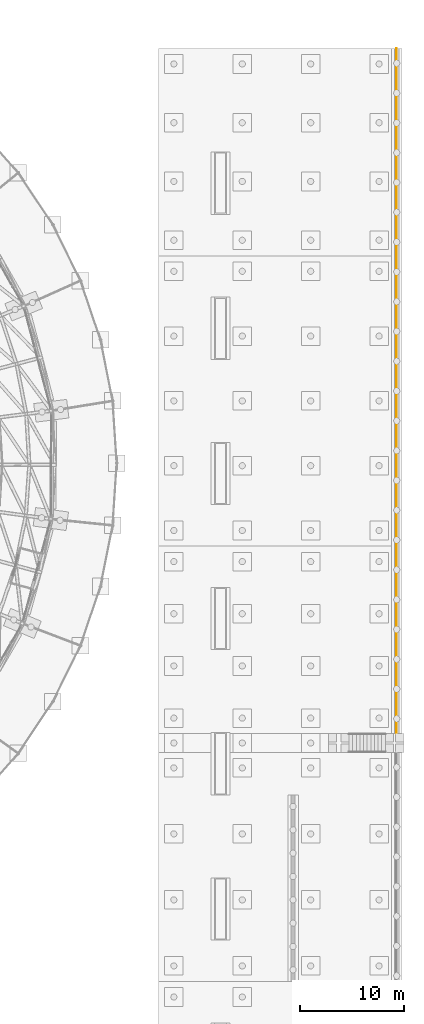
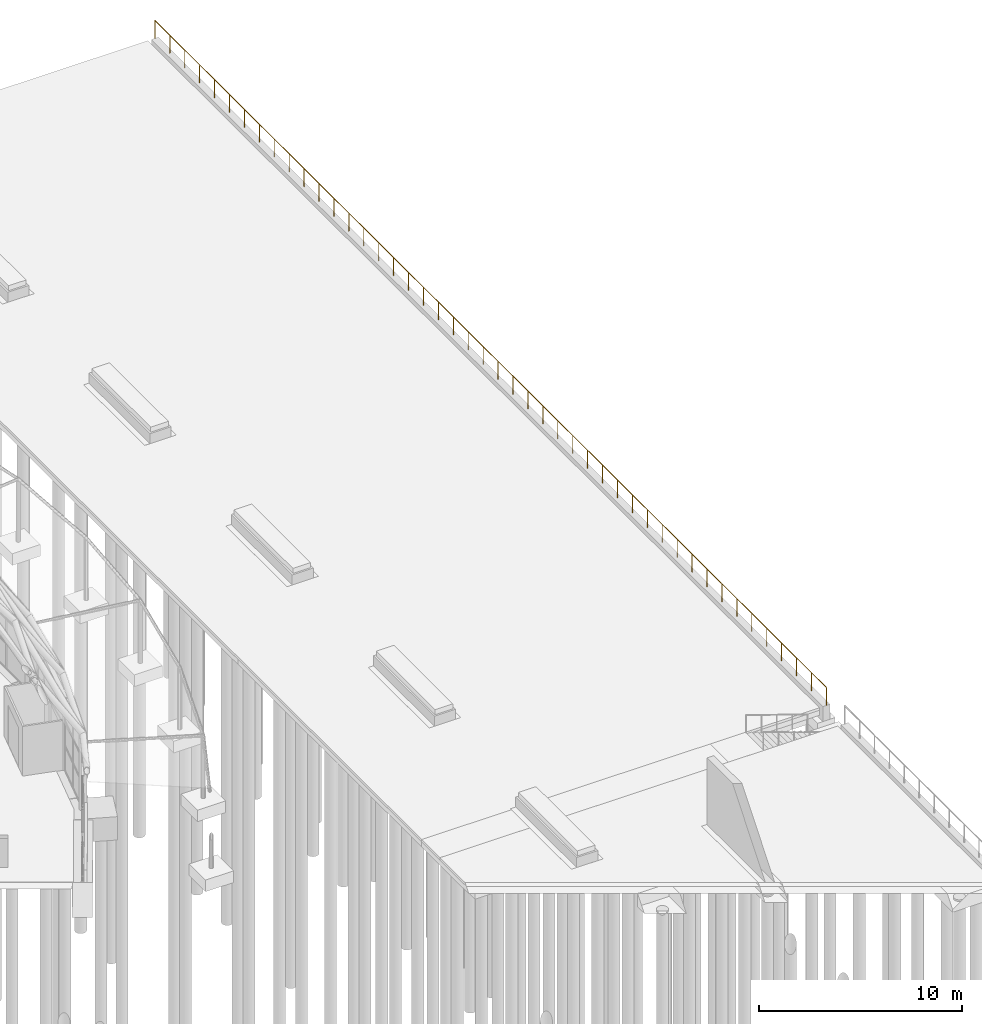
# One storey, part 224 of 226: 1 railing.
"""IFC4 building model written with IfcOpenShell, lengths in metres."""

from ifc_helpers import new_model, si_unit, direction, frame, origin, origin_2d, place, context, subcontext, project, spatial, circle, extrude, material, type_object, element, save


model = new_model("IFC4")

# Units and contexts
model_context = context("Model", 3, precision=1e-05, world=origin(), true_north=direction((0.0, 1.0)))
body_context = subcontext(model_context, "Body", "Model", "MODEL_VIEW")
ifc_project = project(units=[si_unit("LENGTHUNIT", "METRE"), si_unit("AREAUNIT", "SQUARE_METRE"), si_unit("VOLUMEUNIT", "CUBIC_METRE"), si_unit("PLANEANGLEUNIT", "RADIAN"), si_unit("MASSUNIT", "GRAM", prefix="KILO")], contexts=[model_context])

# Site, building, storey
site_placement = place(None, origin())
site = spatial("IfcSite", under=ifc_project, at=site_placement, CompositionType="ELEMENT")
building_placement = place(site_placement, origin())
building = spatial("IfcBuilding", under=site, at=building_placement, Name="Ceibo Conservatory and Research Tower", CompositionType="ELEMENT")
storey_placement = place(building_placement, origin())
storey = spatial("IfcBuildingStorey", under=building, at=storey_placement, Name="L00", CompositionType="ELEMENT", Elevation=0.0)

# Railing
ifc_material = material(Name="Stainless steel AISI 316", Category="steel")
railing_type = type_object("IfcRailingType", Name="Quay guard 1100", PredefinedType="GUARDRAIL", material=ifc_material)
railing_placement = place(storey_placement, frame((229.0, 81.89990234375, 0.0)))
element("IfcRailing", 1, at=railing_placement, inside=storey, type_object=railing_type, Name="Quay guard", PredefinedType="GUARDRAIL", context=body_context, shape_type="SweptSolid", body=[
    extrude(circle(Radius=0.02392578125, at=origin_2d()), frame((0.0, 0.0, 1.076171875), z_axis=(0.0, 1.0, 0.0), x_axis=(-1.0, 0.0, 0.0)), (0.0, 0.0, 1.0), 66.10009765625),
    extrude(circle(Radius=0.02099609375, at=origin_2d()), origin(), (0.0, 0.0, 1.0), 1.052001953125),
    extrude(circle(Radius=0.02099609375, at=origin_2d()), frame((0.0, 1.468994140625, 0.0)), (0.0, 0.0, 1.0), 1.052001953125),
    extrude(circle(Radius=0.02099609375, at=origin_2d()), frame((0.0, 2.937744140625, 0.0)), (0.0, 0.0, 1.0), 1.052001953125),
    extrude(circle(Radius=0.02099609375, at=origin_2d()), frame((0.0, 4.40673828125, 0.0)), (0.0, 0.0, 1.0), 1.052001953125),
    extrude(circle(Radius=0.02099609375, at=origin_2d()), frame((0.0, 5.87548828125, 0.0)), (0.0, 0.0, 1.0), 1.052001953125),
    extrude(circle(Radius=0.02099609375, at=origin_2d()), frame((0.0, 7.344482421875, 0.0)), (0.0, 0.0, 1.0), 1.052001953125),
    extrude(circle(Radius=0.02099609375, at=origin_2d()), frame((0.0, 8.813232421875, 0.0)), (0.0, 0.0, 1.0), 1.052001953125),
    extrude(circle(Radius=0.02099609375, at=origin_2d()), frame((0.0, 10.2822265625, 0.0)), (0.0, 0.0, 1.0), 1.052001953125),
    extrude(circle(Radius=0.02099609375, at=origin_2d()), frame((0.0, 11.751220703125, 0.0)), (0.0, 0.0, 1.0), 1.052001953125),
    extrude(circle(Radius=0.02099609375, at=origin_2d()), frame((0.0, 13.219970703125, 0.0)), (0.0, 0.0, 1.0), 1.052001953125),
    extrude(circle(Radius=0.02099609375, at=origin_2d()), frame((0.0, 14.68896484375, 0.0)), (0.0, 0.0, 1.0), 1.052001953125),
    extrude(circle(Radius=0.02099609375, at=origin_2d()), frame((0.0, 16.15771484375, 0.0)), (0.0, 0.0, 1.0), 1.052001953125),
    extrude(circle(Radius=0.02099609375, at=origin_2d()), frame((0.0, 17.626708984375, 0.0)), (0.0, 0.0, 1.0), 1.052001953125),
    extrude(circle(Radius=0.02099609375, at=origin_2d()), frame((0.0, 19.095703125, 0.0)), (0.0, 0.0, 1.0), 1.052001953125),
    extrude(circle(Radius=0.02099609375, at=origin_2d()), frame((0.0, 20.564453125, 0.0)), (0.0, 0.0, 1.0), 1.052001953125),
    extrude(circle(Radius=0.02099609375, at=origin_2d()), frame((0.0, 22.033447265625, 0.0)), (0.0, 0.0, 1.0), 1.052001953125),
    extrude(circle(Radius=0.02099609375, at=origin_2d()), frame((0.0, 23.502197265625, 0.0)), (0.0, 0.0, 1.0), 1.052001953125),
    extrude(circle(Radius=0.02099609375, at=origin_2d()), frame((0.0, 24.97119140625, 0.0)), (0.0, 0.0, 1.0), 1.052001953125),
    extrude(circle(Radius=0.02099609375, at=origin_2d()), frame((0.0, 26.43994140625, 0.0)), (0.0, 0.0, 1.0), 1.052001953125),
    extrude(circle(Radius=0.02099609375, at=origin_2d()), frame((0.0, 27.908935546875, 0.0)), (0.0, 0.0, 1.0), 1.052001953125),
    extrude(circle(Radius=0.02099609375, at=origin_2d()), frame((0.0, 29.3779296875, 0.0)), (0.0, 0.0, 1.0), 1.052001953125),
    extrude(circle(Radius=0.02099609375, at=origin_2d()), frame((0.0, 30.8466796875, 0.0)), (0.0, 0.0, 1.0), 1.052001953125),
    extrude(circle(Radius=0.02099609375, at=origin_2d()), frame((0.0, 32.315673828125, 0.0)), (0.0, 0.0, 1.0), 1.052001953125),
    extrude(circle(Radius=0.02099609375, at=origin_2d()), frame((0.0, 33.784423828125, 0.0)), (0.0, 0.0, 1.0), 1.052001953125),
    extrude(circle(Radius=0.02099609375, at=origin_2d()), frame((0.0, 35.25341796875, 0.0)), (0.0, 0.0, 1.0), 1.052001953125),
    extrude(circle(Radius=0.02099609375, at=origin_2d()), frame((0.0, 36.72216796875, 0.0)), (0.0, 0.0, 1.0), 1.052001953125),
    extrude(circle(Radius=0.02099609375, at=origin_2d()), frame((0.0, 38.191162109375, 0.0)), (0.0, 0.0, 1.0), 1.052001953125),
    extrude(circle(Radius=0.02099609375, at=origin_2d()), frame((0.0, 39.66015625, 0.0)), (0.0, 0.0, 1.0), 1.052001953125),
    extrude(circle(Radius=0.02099609375, at=origin_2d()), frame((0.0, 41.12890625, 0.0)), (0.0, 0.0, 1.0), 1.052001953125),
    extrude(circle(Radius=0.02099609375, at=origin_2d()), frame((0.0, 42.597900390625, 0.0)), (0.0, 0.0, 1.0), 1.052001953125),
    extrude(circle(Radius=0.02099609375, at=origin_2d()), frame((0.0, 44.066650390625, 0.0)), (0.0, 0.0, 1.0), 1.052001953125),
    extrude(circle(Radius=0.02099609375, at=origin_2d()), frame((0.0, 45.53564453125, 0.0)), (0.0, 0.0, 1.0), 1.052001953125),
    extrude(circle(Radius=0.02099609375, at=origin_2d()), frame((0.0, 47.00439453125, 0.0)), (0.0, 0.0, 1.0), 1.052001953125),
    extrude(circle(Radius=0.02099609375, at=origin_2d()), frame((0.0, 48.473388671875, 0.0)), (0.0, 0.0, 1.0), 1.052001953125),
    extrude(circle(Radius=0.02099609375, at=origin_2d()), frame((0.0, 49.9423828125, 0.0)), (0.0, 0.0, 1.0), 1.052001953125),
    extrude(circle(Radius=0.02099609375, at=origin_2d()), frame((0.0, 51.4111328125, 0.0)), (0.0, 0.0, 1.0), 1.052001953125),
    extrude(circle(Radius=0.02099609375, at=origin_2d()), frame((0.0, 52.880126953125, 0.0)), (0.0, 0.0, 1.0), 1.052001953125),
    extrude(circle(Radius=0.02099609375, at=origin_2d()), frame((0.0, 54.348876953125, 0.0)), (0.0, 0.0, 1.0), 1.052001953125),
    extrude(circle(Radius=0.02099609375, at=origin_2d()), frame((0.0, 55.81787109375, 0.0)), (0.0, 0.0, 1.0), 1.052001953125),
    extrude(circle(Radius=0.02099609375, at=origin_2d()), frame((0.0, 57.286865234375, 0.0)), (0.0, 0.0, 1.0), 1.052001953125),
    extrude(circle(Radius=0.02099609375, at=origin_2d()), frame((0.0, 58.755615234375, 0.0)), (0.0, 0.0, 1.0), 1.052001953125),
    extrude(circle(Radius=0.02099609375, at=origin_2d()), frame((0.0, 60.224609375, 0.0)), (0.0, 0.0, 1.0), 1.052001953125),
    extrude(circle(Radius=0.02099609375, at=origin_2d()), frame((0.0, 61.693359375, 0.0)), (0.0, 0.0, 1.0), 1.052001953125),
    extrude(circle(Radius=0.02099609375, at=origin_2d()), frame((0.0, 63.162353515625, 0.0)), (0.0, 0.0, 1.0), 1.052001953125),
    extrude(circle(Radius=0.02099609375, at=origin_2d()), frame((0.0, 64.631103515625, 0.0)), (0.0, 0.0, 1.0), 1.052001953125),
    extrude(circle(Radius=0.02099609375, at=origin_2d()), frame((0.0, 66.10009765625, 0.0)), (0.0, 0.0, 1.0), 1.052001953125),
])

save(model, "model.ifc")
